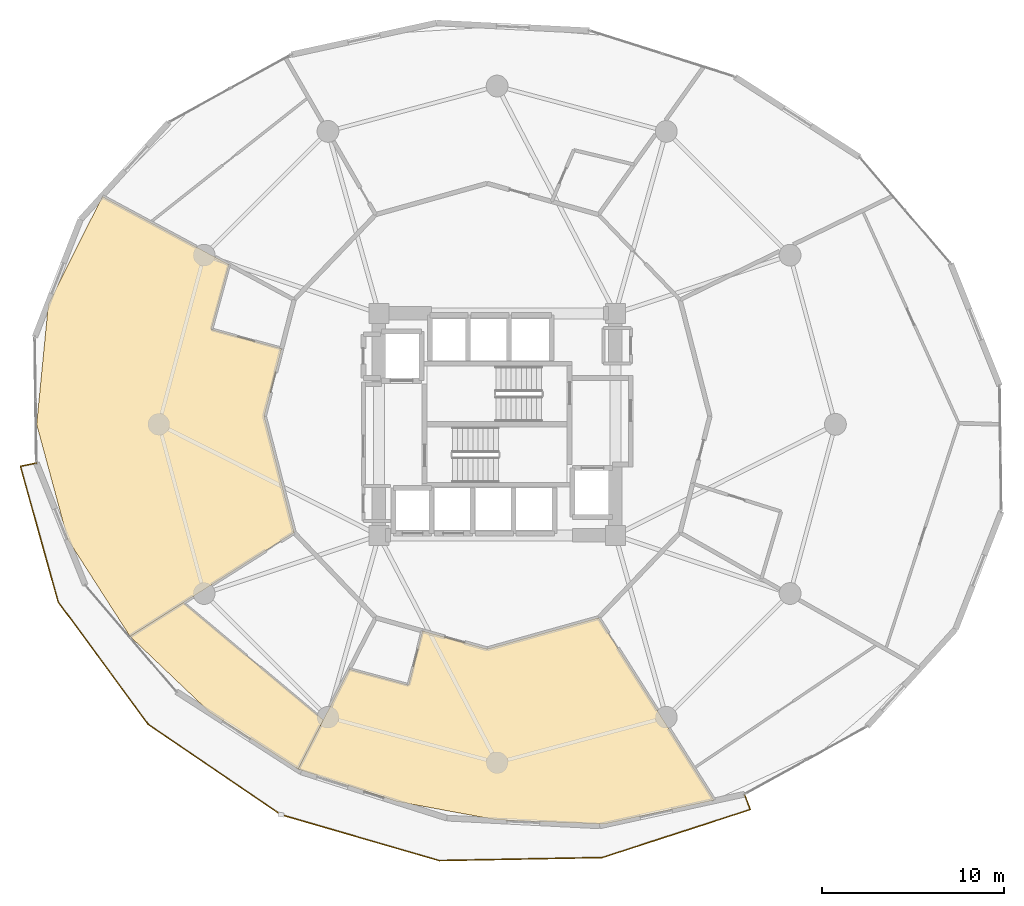
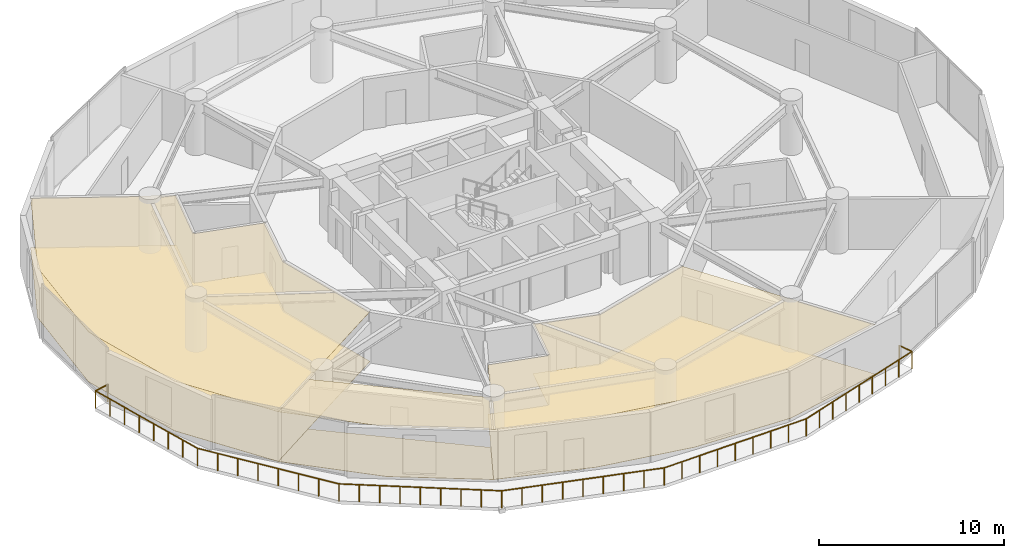
# One storey, part 21 of 23: 6 coverings, 1 railing.
"""IFC4 building model written with IfcOpenShell, lengths in metres."""

from ifc_helpers import new_model, si_unit, direction, frame, origin, origin_2d, place, context, subcontext, project, spatial, polyline, circle, outline, extrude, material, layer, layer_set, type_object, element, save


model = new_model("IFC4")

# Units and contexts
model_context = context("Model", 3, precision=1e-05, world=origin(), true_north=direction((0.0, 1.0)))
body_context = subcontext(model_context, "Body", "Model", "MODEL_VIEW")
ifc_project = project(units=[si_unit("LENGTHUNIT", "METRE"), si_unit("AREAUNIT", "SQUARE_METRE"), si_unit("VOLUMEUNIT", "CUBIC_METRE"), si_unit("PLANEANGLEUNIT", "RADIAN"), si_unit("MASSUNIT", "GRAM", prefix="KILO")], contexts=[model_context])

# Site, building, storey
site_placement = place(None, origin())
site = spatial("IfcSite", under=ifc_project, at=site_placement, CompositionType="ELEMENT")
building_placement = place(site_placement, origin())
building = spatial("IfcBuilding", under=site, at=building_placement, Name="Solvirekh Grand Hotel", CompositionType="ELEMENT")
storey_placement = place(building_placement, frame((0.0, 0.0, 46.39990234375)))
storey = spatial("IfcBuildingStorey", under=building, at=storey_placement, Name="L10", CompositionType="ELEMENT", Elevation=46.39990234375)

# Coverings
ifc_material_1 = material(Name="Acoustic Mineral Ceiling Tile")
ifc_layer_1 = layer(ifc_material_1, 0.02490234375)
ifc_layer_set_1 = layer_set([ifc_layer_1], Name="Acoustic Mineral Ceiling Tile")
covering_type_1 = type_object("IfcCoveringType", Name="Cov_Ceiling_Acoustic", PredefinedType="CEILING", material=ifc_layer_set_1)
covering_1_placement = place(storey_placement, frame((0.0, 0.0, 3.2900390625)))
element("IfcCovering", 1, at=covering_1_placement, inside=storey, type_object=covering_type_1, Name="L10 Diplomatic Suite 1202 Living Room acoustic ceiling", PredefinedType="CEILING", context=body_context, shape_type="SweptSolid", body=[
    extrude(outline(polyline([(-15.714111328125, 5.218017578125), (-14.742919921875, 8.781005859375), (-21.700927734375, 12.529052734375), (-24.673095703125, 6.611083984375), (-25.31591796875, 0.0), (-23.60693359375, -6.324951171875), (-20.18408203125, -11.653076171875), (-11.158935546875, -5.949951171875), (-12.800048828125, 0.449951171875), (-11.847900390625, 4.162109375), (-15.714111328125, 5.218017578125)])), origin(), (0.0, 0.0, 1.0), 0.01806640625),
])
covering_2_placement = place(storey_placement, frame((0.0, 0.0, 3.2900390625)))
element("IfcCovering", 2, at=covering_2_placement, inside=storey, type_object=covering_type_1, Name="L10 Diplomatic Suite 1202 Master Bedroom acoustic ceiling", PredefinedType="CEILING", context=body_context, shape_type="SweptSolid", body=[
    extrude(outline(polyline([(-20.18408203125, -11.653076171875), (-15.81591796875, -15.81591796875), (-10.943115234375, -18.9541015625), (-9.555908203125, -16.25), (-17.2509765625, -9.800048828125), (-20.18408203125, -11.653076171875)])), origin(), (0.0, 0.0, 1.0), 0.01806640625),
])
covering_3_placement = place(storey_placement, frame((0.0, 0.0, 3.2900390625)))
element("IfcCovering", 3, at=covering_3_placement, inside=storey, type_object=covering_type_1, Name="L10 Diplomatic Suite 1203 Living Room acoustic ceiling", PredefinedType="CEILING", context=body_context, shape_type="SweptSolid", body=[
    extrude(outline(polyline([(-4.865966796875, -14.337890625), (-8.1259765625, -13.462890625), (-10.943115234375, -18.9541015625), (-5.552978515625, -20.722900390625), (0.0, -21.7490234375), (5.888916015625, -21.97802734375), (11.928955078125, -20.662109375), (5.574951171875, -10.635009765625), (-0.550048828125, -12.35009765625), (-4.10302734375, -11.35498046875), (-4.865966796875, -14.337890625)])), origin(), (0.0, 0.0, 1.0), 0.01806640625),
])
ifc_material_2 = material(Name="Porcelain Stoneware Flooring", Category="masonry")
ifc_layer_2 = layer(ifc_material_2, 0.030029296875)
ifc_layer_set_2 = layer_set([ifc_layer_2], Name="Porcelain Stoneware Flooring")
covering_type_2 = type_object("IfcCoveringType", Name="Cov_Floor_Stone", PredefinedType="FLOORING", material=ifc_layer_set_2)
covering_4_placement = place(storey_placement, origin())
element("IfcCovering", 4, at=covering_4_placement, inside=storey, type_object=covering_type_2, Name="L10 Diplomatic Suite 1202 Living Room polished granite flooring", PredefinedType="FLOORING", context=body_context, shape_type="SweptSolid", body=[
    extrude(outline(polyline([(-15.714111328125, 5.218017578125), (-14.742919921875, 8.781005859375), (-21.700927734375, 12.529052734375), (-24.673095703125, 6.611083984375), (-25.31591796875, 0.0), (-23.60693359375, -6.324951171875), (-20.18408203125, -11.653076171875), (-11.158935546875, -5.949951171875), (-12.800048828125, 0.449951171875), (-11.847900390625, 4.162109375), (-15.714111328125, 5.218017578125)])), origin(), (0.0, 0.0, 1.0), 0.02001953125),
])
covering_5_placement = place(storey_placement, origin())
element("IfcCovering", 5, at=covering_5_placement, inside=storey, type_object=covering_type_2, Name="L10 Diplomatic Suite 1202 Master Bedroom polished granite flooring", PredefinedType="FLOORING", context=body_context, shape_type="SweptSolid", body=[
    extrude(outline(polyline([(-20.18408203125, -11.653076171875), (-15.81591796875, -15.81591796875), (-10.943115234375, -18.9541015625), (-9.555908203125, -16.25), (-17.2509765625, -9.800048828125), (-20.18408203125, -11.653076171875)])), origin(), (0.0, 0.0, 1.0), 0.02001953125),
])
covering_6_placement = place(storey_placement, origin())
element("IfcCovering", 6, at=covering_6_placement, inside=storey, type_object=covering_type_2, Name="L10 Diplomatic Suite 1203 Living Room polished granite flooring", PredefinedType="FLOORING", context=body_context, shape_type="SweptSolid", body=[
    extrude(outline(polyline([(-4.865966796875, -14.337890625), (-8.1259765625, -13.462890625), (-10.943115234375, -18.9541015625), (-5.552978515625, -20.722900390625), (0.0, -21.7490234375), (5.888916015625, -21.97802734375), (11.928955078125, -20.662109375), (5.574951171875, -10.635009765625), (-0.550048828125, -12.35009765625), (-4.10302734375, -11.35498046875), (-4.865966796875, -14.337890625)])), origin(), (0.0, 0.0, 1.0), 0.02001953125),
])

# Railing
ifc_material_3 = material(Name="Anodized Bronze Aluminium 6063-T6", Category="aluminium")
railing_type = type_object("IfcRailingType", Name="Guard_ExtGlass_1150", PredefinedType="BALUSTRADE", material=ifc_material_3)
railing_placement = place(storey_placement, frame((-25.327880859375, -2.125, 0.0)))
element("IfcRailing", 7, at=railing_placement, inside=storey, type_object=railing_type, Name="L10 balc perimeter glass balustrade", PredefinedType="BALUSTRADE", context=body_context, shape_type="SweptSolid", body=[
    extrude(circle(Radius=0.02392578125, at=origin_2d()), frame((0.0, 0.0, 1.1259765625), z_axis=(-0.979822488408, -0.199869685568, 0.0), x_axis=(0.199869685568, -0.979822488408, 0.0)), (0.0, 0.0, 1.0), 0.900146484375),
    extrude(circle(Radius=0.02392578125, at=origin_2d()), frame((-0.882080078125, -0.179931640625, 1.1259765625), z_axis=(0.268031323441, -0.963410198023, 0.0), x_axis=(0.963410198023, 0.268031323441, 0.0)), (0.0, 0.0, 1.0), 7.734130859375),
    extrude(circle(Radius=0.02392578125, at=origin_2d()), frame((1.19091796875, -7.631103515625, 1.1259765625), z_axis=(0.592617953432, -0.805483681566, 0.0), x_axis=(0.805483681566, 0.592617953432, 0.0)), (0.0, 0.0, 1.0), 8.357666015625),
    extrude(circle(Radius=0.02392578125, at=origin_2d()), frame((6.143798828125, -14.363037109375, 1.1259765625), z_axis=(0.826478063362, -0.562968925236, 0.0), x_axis=(0.562968925236, 0.826478063362, 0.0)), (0.0, 0.0, 1.0), 8.8349609375),
    extrude(circle(Radius=0.02392578125, at=origin_2d()), frame((13.44580078125, -19.3369140625, 1.1259765625), z_axis=(0.960450695809, -0.278450104901, 0.0), x_axis=(0.278450104901, 0.960450695809, 0.0)), (0.0, 0.0, 1.0), 9.05712890625),
    extrude(circle(Radius=0.02392578125, at=origin_2d()), frame((22.144775390625, -21.85888671875, 1.1259765625), z_axis=(0.999829052088, 0.018489634948, 0.0), x_axis=(-0.018489634948, 0.999829052088, 0.0)), (0.0, 0.0, 1.0), 8.965576171875),
    extrude(circle(Radius=0.02392578125, at=origin_2d()), frame((31.10888671875, -21.693115234375, 1.1259765625), z_axis=(0.951240476024, 0.30845025008, 0.0), x_axis=(-0.30845025008, 0.951240476024, 0.0)), (0.0, 0.0, 1.0), 8.552978515625),
    extrude(circle(Radius=0.02392578125, at=origin_2d()), frame((39.244873046875, -19.054931640625, 1.1259765625), z_axis=(-0.348656175294, 0.937250698282, 0.0), x_axis=(-0.937250698282, -0.348656175294, 0.0)), (0.0, 0.0, 1.0), 0.900390625),
    extrude(circle(Radius=0.02099609375, at=origin_2d()), origin(), (0.0, 0.0, 1.0), 1.101806640625),
    extrude(circle(Radius=0.02099609375, at=origin_2d()), frame((-0.882080078125, -0.179931640625, 0.0)), (0.0, 0.0, 1.0), 1.101806640625),
    extrude(circle(Radius=0.02099609375, at=origin_2d()), frame((-0.5859375, -1.244384765625, 0.0)), (0.0, 0.0, 1.0), 1.101806640625),
    extrude(circle(Radius=0.02099609375, at=origin_2d()), frame((-0.289794921875, -2.308837890625, 0.0)), (0.0, 0.0, 1.0), 1.101806640625),
    extrude(circle(Radius=0.02099609375, at=origin_2d()), frame((0.00634765625, -3.373291015625, 0.0)), (0.0, 0.0, 1.0), 1.101806640625),
    extrude(circle(Radius=0.02099609375, at=origin_2d()), frame((0.302490234375, -4.437744140625, 0.0)), (0.0, 0.0, 1.0), 1.101806640625),
    extrude(circle(Radius=0.02099609375, at=origin_2d()), frame((0.5986328125, -5.502197265625, 0.0)), (0.0, 0.0, 1.0), 1.101806640625),
    extrude(circle(Radius=0.02099609375, at=origin_2d()), frame((0.894775390625, -6.566650390625, 0.0)), (0.0, 0.0, 1.0), 1.101806640625),
    extrude(circle(Radius=0.02099609375, at=origin_2d()), frame((1.19091796875, -7.631103515625, 0.0)), (0.0, 0.0, 1.0), 1.101806640625),
    extrude(circle(Radius=0.02099609375, at=origin_2d()), frame((1.8984375, -8.5927734375, 0.0)), (0.0, 0.0, 1.0), 1.101806640625),
    extrude(circle(Radius=0.02099609375, at=origin_2d()), frame((2.60595703125, -9.554443359375, 0.0)), (0.0, 0.0, 1.0), 1.101806640625),
    extrude(circle(Radius=0.02099609375, at=origin_2d()), frame((3.3134765625, -10.51611328125, 0.0)), (0.0, 0.0, 1.0), 1.101806640625),
    extrude(circle(Radius=0.02099609375, at=origin_2d()), frame((4.021240234375, -11.47802734375, 0.0)), (0.0, 0.0, 1.0), 1.101806640625),
    extrude(circle(Radius=0.02099609375, at=origin_2d()), frame((4.728759765625, -12.439697265625, 0.0)), (0.0, 0.0, 1.0), 1.101806640625),
    extrude(circle(Radius=0.02099609375, at=origin_2d()), frame((5.436279296875, -13.4013671875, 0.0)), (0.0, 0.0, 1.0), 1.101806640625),
    extrude(circle(Radius=0.02099609375, at=origin_2d()), frame((6.143798828125, -14.363037109375, 0.0)), (0.0, 0.0, 1.0), 1.101806640625),
    extrude(circle(Radius=0.02099609375, at=origin_2d()), frame((7.056640625, -14.98486328125, 0.0)), (0.0, 0.0, 1.0), 1.101806640625),
    extrude(circle(Radius=0.02099609375, at=origin_2d()), frame((7.96923828125, -15.6064453125, 0.0)), (0.0, 0.0, 1.0), 1.101806640625),
    extrude(circle(Radius=0.02099609375, at=origin_2d()), frame((8.882080078125, -16.228271484375, 0.0)), (0.0, 0.0, 1.0), 1.101806640625),
    extrude(circle(Radius=0.02099609375, at=origin_2d()), frame((9.794921875, -16.85009765625, 0.0)), (0.0, 0.0, 1.0), 1.101806640625),
    extrude(circle(Radius=0.02099609375, at=origin_2d()), frame((10.70751953125, -17.4716796875, 0.0)), (0.0, 0.0, 1.0), 1.101806640625),
    extrude(circle(Radius=0.02099609375, at=origin_2d()), frame((11.620361328125, -18.093505859375, 0.0)), (0.0, 0.0, 1.0), 1.101806640625),
    extrude(circle(Radius=0.02099609375, at=origin_2d()), frame((12.532958984375, -18.715087890625, 0.0)), (0.0, 0.0, 1.0), 1.101806640625),
    extrude(circle(Radius=0.02099609375, at=origin_2d()), frame((13.44580078125, -19.3369140625, 0.0)), (0.0, 0.0, 1.0), 1.101806640625),
    extrude(circle(Radius=0.02099609375, at=origin_2d()), frame((14.533203125, -19.652099609375, 0.0)), (0.0, 0.0, 1.0), 1.101806640625),
    extrude(circle(Radius=0.02099609375, at=origin_2d()), frame((15.62060546875, -19.96728515625, 0.0)), (0.0, 0.0, 1.0), 1.101806640625),
    extrude(circle(Radius=0.02099609375, at=origin_2d()), frame((16.7080078125, -20.28271484375, 0.0)), (0.0, 0.0, 1.0), 1.101806640625),
    extrude(circle(Radius=0.02099609375, at=origin_2d()), frame((17.79541015625, -20.597900390625, 0.0)), (0.0, 0.0, 1.0), 1.101806640625),
    extrude(circle(Radius=0.02099609375, at=origin_2d()), frame((18.882568359375, -20.9130859375, 0.0)), (0.0, 0.0, 1.0), 1.101806640625),
    extrude(circle(Radius=0.02099609375, at=origin_2d()), frame((19.969970703125, -21.228515625, 0.0)), (0.0, 0.0, 1.0), 1.101806640625),
    extrude(circle(Radius=0.02099609375, at=origin_2d()), frame((21.057373046875, -21.543701171875, 0.0)), (0.0, 0.0, 1.0), 1.101806640625),
    extrude(circle(Radius=0.02099609375, at=origin_2d()), frame((22.144775390625, -21.85888671875, 0.0)), (0.0, 0.0, 1.0), 1.101806640625),
    extrude(circle(Radius=0.02099609375, at=origin_2d()), frame((23.265380859375, -21.838134765625, 0.0)), (0.0, 0.0, 1.0), 1.101806640625),
    extrude(circle(Radius=0.02099609375, at=origin_2d()), frame((24.3857421875, -21.8173828125, 0.0)), (0.0, 0.0, 1.0), 1.101806640625),
    extrude(circle(Radius=0.02099609375, at=origin_2d()), frame((25.50634765625, -21.796630859375, 0.0)), (0.0, 0.0, 1.0), 1.101806640625),
    extrude(circle(Radius=0.02099609375, at=origin_2d()), frame((26.626953125, -21.77587890625, 0.0)), (0.0, 0.0, 1.0), 1.101806640625),
    extrude(circle(Radius=0.02099609375, at=origin_2d()), frame((27.747314453125, -21.75537109375, 0.0)), (0.0, 0.0, 1.0), 1.101806640625),
    extrude(circle(Radius=0.02099609375, at=origin_2d()), frame((28.867919921875, -21.734619140625, 0.0)), (0.0, 0.0, 1.0), 1.101806640625),
    extrude(circle(Radius=0.02099609375, at=origin_2d()), frame((29.98828125, -21.7138671875, 0.0)), (0.0, 0.0, 1.0), 1.101806640625),
    extrude(circle(Radius=0.02099609375, at=origin_2d()), frame((31.10888671875, -21.693115234375, 0.0)), (0.0, 0.0, 1.0), 1.101806640625),
    extrude(circle(Radius=0.02099609375, at=origin_2d()), frame((32.1259765625, -21.36328125, 0.0)), (0.0, 0.0, 1.0), 1.101806640625),
    extrude(circle(Radius=0.02099609375, at=origin_2d()), frame((33.142822265625, -21.03369140625, 0.0)), (0.0, 0.0, 1.0), 1.101806640625),
    extrude(circle(Radius=0.02099609375, at=origin_2d()), frame((34.159912109375, -20.703857421875, 0.0)), (0.0, 0.0, 1.0), 1.101806640625),
    extrude(circle(Radius=0.02099609375, at=origin_2d()), frame((35.1767578125, -20.3740234375, 0.0)), (0.0, 0.0, 1.0), 1.101806640625),
    extrude(circle(Radius=0.02099609375, at=origin_2d()), frame((36.19384765625, -20.044189453125, 0.0)), (0.0, 0.0, 1.0), 1.101806640625),
    extrude(circle(Radius=0.02099609375, at=origin_2d()), frame((37.2109375, -19.71435546875, 0.0)), (0.0, 0.0, 1.0), 1.101806640625),
    extrude(circle(Radius=0.02099609375, at=origin_2d()), frame((38.227783203125, -19.384765625, 0.0)), (0.0, 0.0, 1.0), 1.101806640625),
    extrude(circle(Radius=0.02099609375, at=origin_2d()), frame((39.244873046875, -19.054931640625, 0.0)), (0.0, 0.0, 1.0), 1.101806640625),
    extrude(circle(Radius=0.02099609375, at=origin_2d()), frame((38.930908203125, -18.2109375, 0.0)), (0.0, 0.0, 1.0), 1.101806640625),
])

save(model, "model.ifc")
